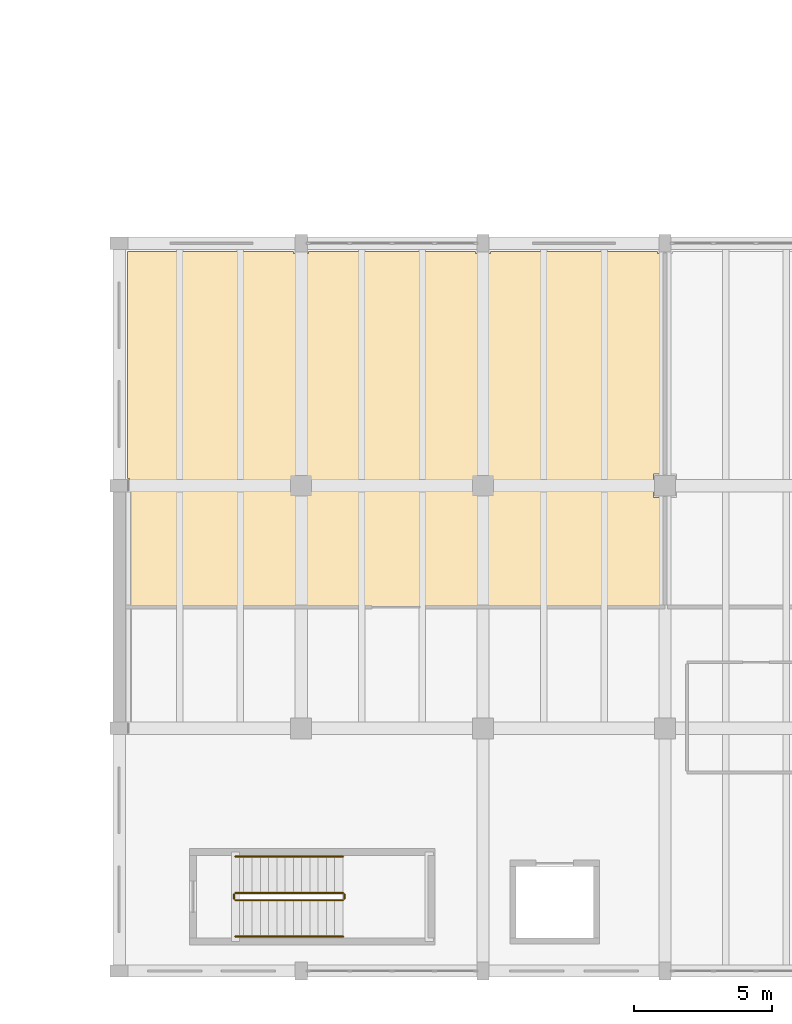
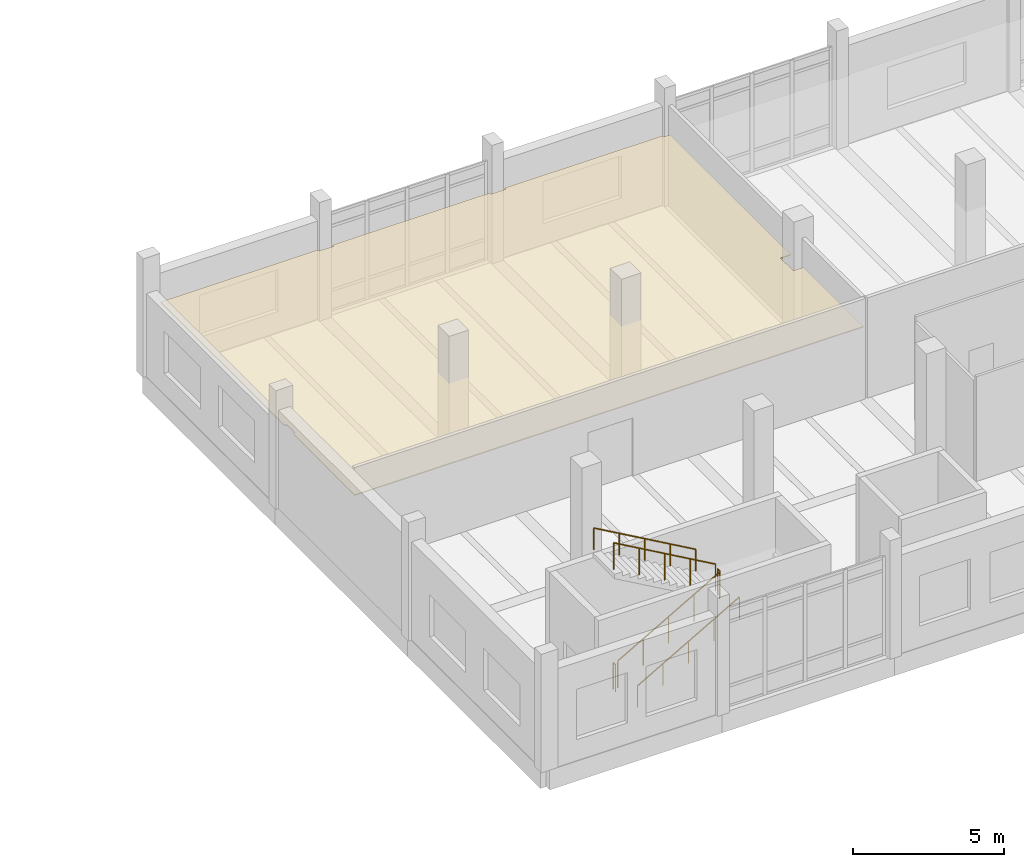
# One storey, part 106 of 125: 6 railings, 1 covering.
"""IFC4 building model written with IfcOpenShell, lengths in metres."""

from ifc_helpers import new_model, si_unit, direction, frame, origin, origin_2d, place, context, subcontext, project, spatial, polyline, circle, outline, extrude, material, layer, layer_set, type_object, element, save


model = new_model("IFC4")

# Units and contexts
model_context = context("Model", 3, precision=1e-05, world=origin(), true_north=direction((0.0, 1.0)))
body_context = subcontext(model_context, "Body", "Model", "MODEL_VIEW")
ifc_project = project(units=[si_unit("LENGTHUNIT", "METRE"), si_unit("AREAUNIT", "SQUARE_METRE"), si_unit("VOLUMEUNIT", "CUBIC_METRE"), si_unit("PLANEANGLEUNIT", "RADIAN"), si_unit("MASSUNIT", "GRAM", prefix="KILO")], contexts=[model_context])

# Site, building, storey
site_placement = place(None, origin())
site = spatial("IfcSite", under=ifc_project, at=site_placement, CompositionType="ELEMENT")
building_placement = place(site_placement, origin())
building = spatial("IfcBuilding", under=site, at=building_placement, Name="Dornvale Research Institute", CompositionType="ELEMENT")
storey_placement = place(building_placement, frame((0.0, 0.0, 5.39990234375)))
storey = spatial("IfcBuildingStorey", under=building, at=storey_placement, Name="L01", CompositionType="ELEMENT", Elevation=5.39990234375)

# Covering
ifc_material_1 = material(Name="Flush Cleanroom Aluminum Walk-On HEPA Ceiling Grid", Category="aluminium")
ifc_layer_1 = layer(ifc_material_1, 0.0400390625)
ifc_layer_set_1 = layer_set([ifc_layer_1], Name="Flush Cleanroom Aluminum Walk-On HEPA Ceiling Grid")
covering_type = type_object("IfcCoveringType", Name="Covering_Cleanroom_HEPA_Ceiling", PredefinedType="CEILING", material=ifc_layer_set_1)
covering_placement = place(storey_placement, frame((0.0, 0.0, 2.85009765625)))
element("IfcCovering", 1, at=covering_placement, inside=storey, type_object=covering_type, Name="L01 Cleanroom Gowning Airlock L01 suspended ceiling", PredefinedType="CEILING", context=body_context, shape_type="SweptSolid", body=[
    extrude(outline(polyline([(112.47509765625, 26.02490234375), (112.47509765625, 26.10009765625), (118.52490234375, 26.10009765625), (118.52490234375, 26.02490234375), (118.780029296875, 26.02490234375), (118.780029296875, 18.02490234375), (118.375, 18.02490234375), (118.375, 17.175048828125), (118.780029296875, 17.175048828125), (118.780029296875, 13.219970703125), (99.300048828125, 13.219970703125), (99.300048828125, 17.324951171875), (99.375, 17.324951171875), (99.375, 17.875), (99.300048828125, 17.875), (99.300048828125, 26.10009765625), (105.324951171875, 26.10009765625), (105.324951171875, 26.02490234375), (105.875, 26.02490234375), (105.875, 26.10009765625), (111.925048828125, 26.10009765625), (111.925048828125, 26.02490234375), (112.47509765625, 26.02490234375)])), origin(), (0.0, 0.0, 1.0), 0.0400390625),
])

# Railings
ifc_material_2 = material(Name="Galvanized Painted Tubular Steel Stair Rail", Category="steel")
ifc_layer_2 = layer(ifc_material_2, 0.050048828125)
ifc_layer_set_2 = layer_set([ifc_layer_2], Name="Galvanized Painted Tubular Steel Stair Rail")
railing_type_1 = type_object("IfcRailingType", Name="Railing_Stair_Guard_1100", PredefinedType="GUARDRAIL", material=ifc_layer_set_2)
railing_1_placement = place(storey_placement, frame((103.219970703125, 2.570068359375, 0.171630859375)))
element("IfcRailing", 2, at=railing_1_placement, inside=storey, type_object=railing_type_1, Name="L01 ST-5 stair guard 1", PredefinedType="GUARDRAIL", context=body_context, shape_type="SweptSolid", body=[
    extrude(circle(Radius=0.02392578125, at=origin_2d()), frame((0.0, 0.0, 1.076171875), z_axis=(0.868256520506, 0.0, 0.496115525457), x_axis=(0.0, 1.0, 0.0)), (0.0, 0.0, 1.0), 4.491943359375),
    extrude(circle(Radius=0.02099609375, at=origin_2d()), origin(), (0.0, 0.0, 1.0), 1.052001953125),
    extrude(circle(Radius=0.02099609375, at=origin_2d()), frame((0.97509765625, 0.0, 0.55712890625)), (0.0, 0.0, 1.0), 1.052001953125),
    extrude(circle(Radius=0.02099609375, at=origin_2d()), frame((1.9501953125, 0.0, 1.1142578125)), (0.0, 0.0, 1.0), 1.052001953125),
    extrude(circle(Radius=0.02099609375, at=origin_2d()), frame((2.925048828125, 0.0, 1.67138671875)), (0.0, 0.0, 1.0), 1.052001953125),
    extrude(circle(Radius=0.02099609375, at=origin_2d()), frame((3.900146484375, 0.0, 2.228515625)), (0.0, 0.0, 1.0), 1.052001953125),
])
railing_2_placement = place(storey_placement, frame((107.169921875, 2.6201171875, 2.400146484375)))
element("IfcRailing", 3, at=railing_2_placement, inside=storey, type_object=railing_type_1, Name="L01 ST-5 stair guard 2", PredefinedType="GUARDRAIL", context=body_context, shape_type="SweptSolid", body=[
    extrude(circle(Radius=0.02392578125, at=origin_2d()), frame((0.0, 0.0, 1.076171875), z_axis=(0.0, 1.0, 0.0), x_axis=(-1.0, 0.0, 0.0)), (0.0, 0.0, 1.0), 0.159912109375),
    extrude(circle(Radius=0.02099609375, at=origin_2d()), origin(), (0.0, 0.0, 1.0), 1.052001953125),
    extrude(circle(Radius=0.02099609375, at=origin_2d()), frame((0.0, 0.159912109375, 0.0)), (0.0, 0.0, 1.0), 1.052001953125),
])
railing_3_placement = place(storey_placement, frame((107.1201171875, 2.830078125, 2.571533203125)))
element("IfcRailing", 4, at=railing_3_placement, inside=storey, type_object=railing_type_1, Name="L01 ST-5 stair guard 3", PredefinedType="GUARDRAIL", context=body_context, shape_type="SweptSolid", body=[
    extrude(circle(Radius=0.02392578125, at=origin_2d()), frame((0.0, 0.0, 1.076171875), z_axis=(-0.868256520506, 0.0, 0.496115525457), x_axis=(0.0, -1.0, 0.0)), (0.0, 0.0, 1.0), 4.491943359375),
    extrude(circle(Radius=0.02099609375, at=origin_2d()), origin(), (0.0, 0.0, 1.0), 1.052001953125),
    extrude(circle(Radius=0.02099609375, at=origin_2d()), frame((-0.97509765625, 0.0, 0.55712890625)), (0.0, 0.0, 1.0), 1.052001953125),
    extrude(circle(Radius=0.02099609375, at=origin_2d()), frame((-1.9501953125, 0.0, 1.1142578125)), (0.0, 0.0, 1.0), 1.052001953125),
    extrude(circle(Radius=0.02099609375, at=origin_2d()), frame((-2.925048828125, 0.0, 1.67138671875)), (0.0, 0.0, 1.0), 1.052001953125),
    extrude(circle(Radius=0.02099609375, at=origin_2d()), frame((-3.900146484375, 0.0, 2.228515625)), (0.0, 0.0, 1.0), 1.052001953125),
])
railing_4_placement = place(storey_placement, frame((103.169921875, 2.6201171875, 0.0)))
element("IfcRailing", 5, at=railing_4_placement, inside=storey, type_object=railing_type_1, Name="L01 ST-5 stair guard 4", PredefinedType="GUARDRAIL", context=body_context, shape_type="SweptSolid", body=[
    extrude(circle(Radius=0.02392578125, at=origin_2d()), frame((0.0, 0.0, 1.076171875), z_axis=(0.0, 1.0, 0.0), x_axis=(-1.0, 0.0, 0.0)), (0.0, 0.0, 1.0), 0.159912109375),
    extrude(circle(Radius=0.02099609375, at=origin_2d()), origin(), (0.0, 0.0, 1.0), 1.052001953125),
    extrude(circle(Radius=0.02099609375, at=origin_2d()), frame((0.0, 0.159912109375, 0.0)), (0.0, 0.0, 1.0), 1.052001953125),
])
ifc_material_3 = material(Name="Galvanized Painted Tubular Steel Stair Rail", Category="steel")
ifc_layer_3 = layer(ifc_material_3, 0.044921875)
ifc_layer_set_3 = layer_set([ifc_layer_3], Name="Galvanized Painted Tubular Steel Stair Rail")
railing_type_2 = type_object("IfcRailingType", Name="Railing_Stair_Handrail_900", PredefinedType="HANDRAIL", material=ifc_layer_set_3)
railing_5_placement = place(storey_placement, frame((103.219970703125, 1.25, 0.171630859375)))
element("IfcRailing", 6, at=railing_5_placement, inside=storey, type_object=railing_type_2, Name="L01 ST-5 stair handrail 1", PredefinedType="HANDRAIL", context=body_context, shape_type="SweptSolid", body=[
    extrude(circle(Radius=0.02392578125, at=origin_2d()), frame((0.0, 0.0, 0.8759765625), z_axis=(0.868256520506, 0.0, 0.496115525457), x_axis=(0.0, 1.0, 0.0)), (0.0, 0.0, 1.0), 4.491943359375),
    extrude(circle(Radius=0.02099609375, at=origin_2d()), origin(), (0.0, 0.0, 1.0), 0.851806640625),
    extrude(circle(Radius=0.02099609375, at=origin_2d()), frame((0.97509765625, 0.0, 0.55712890625)), (0.0, 0.0, 1.0), 0.851806640625),
    extrude(circle(Radius=0.02099609375, at=origin_2d()), frame((1.9501953125, 0.0, 1.1142578125)), (0.0, 0.0, 1.0), 0.851806640625),
    extrude(circle(Radius=0.02099609375, at=origin_2d()), frame((2.925048828125, 0.0, 1.67138671875)), (0.0, 0.0, 1.0), 0.851806640625),
    extrude(circle(Radius=0.02099609375, at=origin_2d()), frame((3.900146484375, 0.0, 2.228515625)), (0.0, 0.0, 1.0), 0.851806640625),
])
railing_6_placement = place(storey_placement, frame((107.1201171875, 4.14990234375, 2.571533203125)))
element("IfcRailing", 7, at=railing_6_placement, inside=storey, type_object=railing_type_2, Name="L01 ST-5 stair handrail 2", PredefinedType="HANDRAIL", context=body_context, shape_type="SweptSolid", body=[
    extrude(circle(Radius=0.02392578125, at=origin_2d()), frame((0.0, 0.0, 0.8759765625), z_axis=(-0.868256520506, 0.0, 0.496115525457), x_axis=(0.0, -1.0, 0.0)), (0.0, 0.0, 1.0), 4.491943359375),
    extrude(circle(Radius=0.02099609375, at=origin_2d()), origin(), (0.0, 0.0, 1.0), 0.851806640625),
    extrude(circle(Radius=0.02099609375, at=origin_2d()), frame((-0.97509765625, 0.0, 0.55712890625)), (0.0, 0.0, 1.0), 0.851806640625),
    extrude(circle(Radius=0.02099609375, at=origin_2d()), frame((-1.9501953125, 0.0, 1.1142578125)), (0.0, 0.0, 1.0), 0.851806640625),
    extrude(circle(Radius=0.02099609375, at=origin_2d()), frame((-2.925048828125, 0.0, 1.67138671875)), (0.0, 0.0, 1.0), 0.851806640625),
    extrude(circle(Radius=0.02099609375, at=origin_2d()), frame((-3.900146484375, 0.0, 2.228515625)), (0.0, 0.0, 1.0), 0.851806640625),
])

save(model, "model.ifc")
